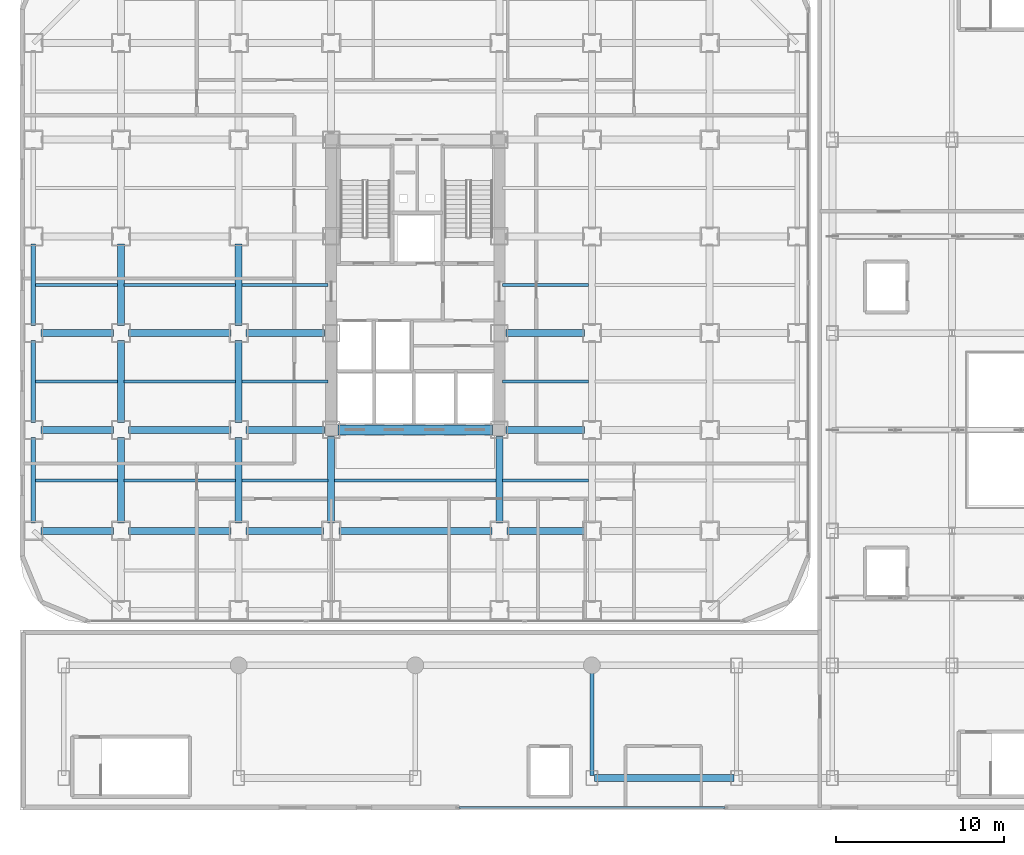
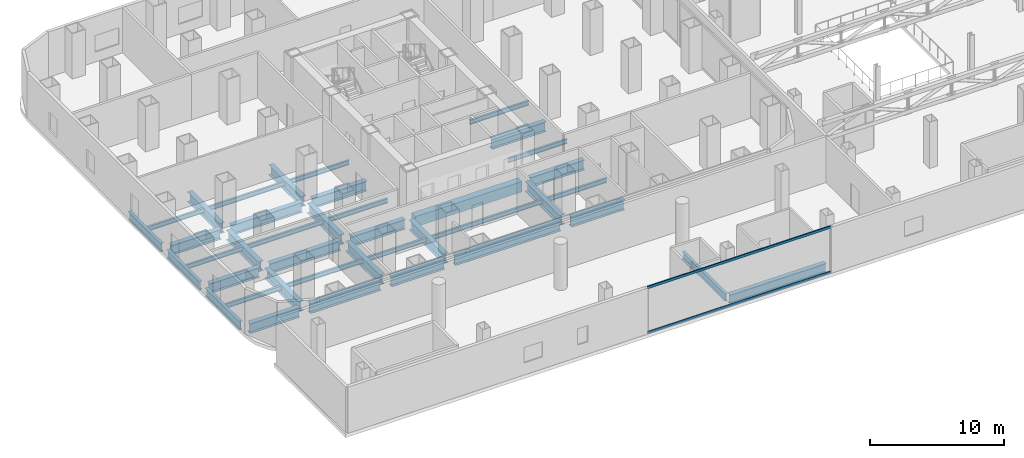
# One storey, part 9 of 28: 40 beams, 2 members, 1 element without a shape of its own.
"""IFC4 building model written with IfcOpenShell, lengths in metres."""

from ifc_helpers import new_model, si_unit, direction, frame, origin, origin_2d, place, context, subcontext, project, spatial, rectangle, hollow_rectangle, i_section, extrude, source, transform, mapped, material, layer, layer_set, material_profile, profile_set, type_object, element, aggregate, save


model = new_model("IFC4")

# Units and contexts
model_context = context("Model", 3, precision=1e-05, world=origin(), true_north=direction((0.0, 1.0)))
body_context = subcontext(model_context, "Body", "Model", "MODEL_VIEW")
ifc_project = project(units=[si_unit("LENGTHUNIT", "METRE"), si_unit("AREAUNIT", "SQUARE_METRE"), si_unit("VOLUMEUNIT", "CUBIC_METRE"), si_unit("PLANEANGLEUNIT", "RADIAN"), si_unit("MASSUNIT", "GRAM", prefix="KILO")], contexts=[model_context])

# Site, building, storey
site_placement = place(None, origin())
site = spatial("IfcSite", under=ifc_project, at=site_placement, CompositionType="ELEMENT")
building_placement = place(site_placement, origin())
building = spatial("IfcBuilding", under=site, at=building_placement, Name="Kolveth Station Tower", CompositionType="ELEMENT")
storey_placement = place(building_placement, frame((0.0, 0.0, 18.0)))
storey = spatial("IfcBuildingStorey", under=building, at=storey_placement, Name="L04", CompositionType="ELEMENT", Elevation=18.0)

# Beams
ifc_material_1 = material(Name="Steel S355", Category="steel")
ifc_material_profile_1 = material_profile(ifc_material_1, i_section(OverallWidth=0.26904296875, OverallDepth=0.77490234375, WebThickness=0.01708984375, FlangeThickness=0.0283203125, at=origin_2d()), Name="W760x220")
ifc_profile_set_1 = profile_set([ifc_material_profile_1], Name="Steel S355")
beam_type_1 = type_object("IfcBeamType", Name="Beam_SP1", PredefinedType="SPANDREL", material=ifc_profile_set_1)
shared_shape_1 = source(origin(), body_context, "Body", "SweptSolid", [
    extrude(i_section(OverallWidth=0.26904296875, OverallDepth=0.77490234375, WebThickness=0.01708984375, FlangeThickness=0.0283203125, at=origin_2d()), origin(), (0.0, 0.0, 1.0), 5.10009765625),
])
beam_1_placement = place(storey_placement, frame((0.800048828125, 5.949951171875, -0.70751953125), z_axis=(0.0, 1.0, 0.0), x_axis=(-1.0, 0.0, 0.0)))
element("IfcBeam", 1, at=beam_1_placement, inside=storey, type_object=beam_type_1, Name="L04 Perimeter Spandrel BM-L04-PW-1", PredefinedType="SPANDREL", context=body_context, shape_type="MappedRepresentation", body=[
    mapped(shared_shape_1, transform((0.0, 0.0, 0.0), x_axis=(1.0, 0.0, 0.0), y_axis=(0.0, 1.0, 0.0), z_axis=(0.0, 0.0, 1.0), scale=1.0)),
])
shared_shape_2 = source(origin(), body_context, "Body", "SweptSolid", [
    extrude(i_section(OverallWidth=0.26904296875, OverallDepth=0.77490234375, WebThickness=0.01708984375, FlangeThickness=0.0283203125, at=origin_2d()), origin(), (0.0, 0.0, 1.0), 4.85009765625),
])
for number, where, z_axis, x_axis, name in (
    (2, (0.800048828125, 11.949951171875, -0.70751953125), (0.0, 1.0, 0.0), (-1.0, 0.0, 0.0), "L04 Perimeter Spandrel BM-L04-PW-2"),
    (3, (0.800048828125, 17.699951171875, -0.70751953125), (0.0, 1.0, 0.0), (-1.0, 0.0, 0.0), "L04 Perimeter Spandrel BM-L04-PW-3"),
):
    element("IfcBeam", number, at=place(storey_placement, frame(where, z_axis=z_axis, x_axis=x_axis)), inside=storey, type_object=beam_type_1, Name=name, PredefinedType="SPANDREL", context=body_context, shape_type="MappedRepresentation", body=[
        mapped(shared_shape_2, transform((0.0, 0.0, 0.0), x_axis=(1.0, 0.0, 0.0), y_axis=(0.0, 1.0, 0.0), z_axis=(0.0, 0.0, 1.0), scale=1.0)),
    ])
ifc_material_profile_2 = material_profile(ifc_material_1, i_section(OverallWidth=0.41796875, OverallDepth=0.912109375, WebThickness=0.019287109375, FlangeThickness=0.031982421875, at=origin_2d()), Name="W920x342")
ifc_profile_set_2 = profile_set([ifc_material_profile_2], Name="Steel S355")
beam_type_2 = type_object("IfcBeamType", Name="Beam_B1", PredefinedType="BEAM", material=ifc_profile_set_2)
shared_shape_3 = source(origin(), body_context, "Body", "SweptSolid", [
    extrude(i_section(OverallWidth=0.41796875, OverallDepth=0.912109375, WebThickness=0.019287109375, FlangeThickness=0.031982421875, at=origin_2d()), origin(), (0.0, 0.0, 1.0), 4.300048828125),
])
for number, where, z_axis, x_axis, name in (
    (4, (1.25, 5.5, -0.77587890625), (1.0, 0.0, 0.0), (0.0, 1.0, 0.0), "L04 Primary Girder BM-L04-GY55-1"),
    (5, (1.25, 11.5, -0.77587890625), (1.0, 0.0, 0.0), (0.0, 1.0, 0.0), "L04 Primary Girder BM-L04-GY115-1"),
    (6, (1.25, 17.25, -0.77587890625), (1.0, 0.0, 0.0), (0.0, 1.0, 0.0), "L04 Primary Girder BM-L04-GY172-1"),
):
    element("IfcBeam", number, at=place(storey_placement, frame(where, z_axis=z_axis, x_axis=x_axis)), inside=storey, type_object=beam_type_2, Name=name, PredefinedType="BEAM", context=body_context, shape_type="MappedRepresentation", body=[
        mapped(shared_shape_3, transform((0.0, 0.0, 0.0), x_axis=(1.0, 0.0, 0.0), y_axis=(0.0, 1.0, 0.0), z_axis=(0.0, 0.0, 1.0), scale=1.0)),
    ])
shared_shape_4 = source(origin(), body_context, "Body", "SweptSolid", [
    extrude(i_section(OverallWidth=0.41796875, OverallDepth=0.912109375, WebThickness=0.019287109375, FlangeThickness=0.031982421875, at=origin_2d()), origin(), (0.0, 0.0, 1.0), 6.10009765625),
])
for number, where, z_axis, x_axis, name in (
    (7, (6.449951171875, 5.5, -0.77587890625), (1.0, 0.0, 0.0), (0.0, 1.0, 0.0), "L04 Primary Girder BM-L04-GY55-2"),
    (8, (6.449951171875, 11.5, -0.77587890625), (1.0, 0.0, 0.0), (0.0, 1.0, 0.0), "L04 Primary Girder BM-L04-GY115-2"),
    (9, (6.449951171875, 17.25, -0.77587890625), (1.0, 0.0, 0.0), (0.0, 1.0, 0.0), "L04 Primary Girder BM-L04-GY172-2"),
):
    element("IfcBeam", number, at=place(storey_placement, frame(where, z_axis=z_axis, x_axis=x_axis)), inside=storey, type_object=beam_type_2, Name=name, PredefinedType="BEAM", context=body_context, shape_type="MappedRepresentation", body=[
        mapped(shared_shape_4, transform((0.0, 0.0, 0.0), x_axis=(1.0, 0.0, 0.0), y_axis=(0.0, 1.0, 0.0), z_axis=(0.0, 0.0, 1.0), scale=1.0)),
    ])
shared_shape_5 = source(origin(), body_context, "Body", "SweptSolid", [
    extrude(i_section(OverallWidth=0.41796875, OverallDepth=0.912109375, WebThickness=0.019287109375, FlangeThickness=0.031982421875, at=origin_2d()), origin(), (0.0, 0.0, 1.0), 4.60009765625),
])
for number, where, z_axis, x_axis, name in (
    (10, (13.449951171875, 5.5, -0.77587890625), (1.0, 0.0, 0.0), (0.0, 1.0, 0.0), "L04 Primary Girder BM-L04-GY55-3"),
    (11, (28.949951171875, 5.5, -0.77587890625), (1.0, 0.0, 0.0), (0.0, 1.0, 0.0), "L04 Primary Girder BM-L04-GY55-5"),
):
    element("IfcBeam", number, at=place(storey_placement, frame(where, z_axis=z_axis, x_axis=x_axis)), inside=storey, type_object=beam_type_2, Name=name, PredefinedType="BEAM", context=body_context, shape_type="MappedRepresentation", body=[
        mapped(shared_shape_5, transform((0.0, 0.0, 0.0), x_axis=(1.0, 0.0, 0.0), y_axis=(0.0, 1.0, 0.0), z_axis=(0.0, 0.0, 1.0), scale=1.0)),
    ])
shared_shape_6 = source(origin(), body_context, "Body", "SweptSolid", [
    extrude(i_section(OverallWidth=0.41796875, OverallDepth=0.912109375, WebThickness=0.019287109375, FlangeThickness=0.031982421875, at=origin_2d()), origin(), (0.0, 0.0, 1.0), 9.10009765625),
])
beam_2_placement = place(storey_placement, frame((18.949951171875, 5.5, -0.77587890625), z_axis=(1.0, 0.0, 0.0), x_axis=(0.0, 1.0, 0.0)))
element("IfcBeam", 12, at=beam_2_placement, inside=storey, type_object=beam_type_2, Name="L04 Primary Girder BM-L04-GY55-4", PredefinedType="BEAM", context=body_context, shape_type="MappedRepresentation", body=[
    mapped(shared_shape_6, transform((0.0, 0.0, 0.0), x_axis=(1.0, 0.0, 0.0), y_axis=(0.0, 1.0, 0.0), z_axis=(0.0, 0.0, 1.0), scale=1.0)),
])
shared_shape_7 = source(origin(), body_context, "Body", "SweptSolid", [
    extrude(i_section(OverallWidth=0.41796875, OverallDepth=0.912109375, WebThickness=0.019287109375, FlangeThickness=0.031982421875, at=origin_2d()), origin(), (0.0, 0.0, 1.0), 4.650146484375),
])
for number, where, z_axis, x_axis, name in (
    (13, (13.449951171875, 11.5, -0.77587890625), (1.0, 0.0, 0.0), (0.0, 1.0, 0.0), "L04 Primary Girder BM-L04-GY115-3"),
    (14, (28.89990234375, 11.5, -0.77587890625), (1.0, 0.0, 0.0), (0.0, 1.0, 0.0), "L04 Primary Girder BM-L04-GY115-5"),
    (15, (13.449951171875, 17.25, -0.77587890625), (1.0, 0.0, 0.0), (0.0, 1.0, 0.0), "L04 Primary Girder BM-L04-GY172-3"),
    (16, (28.89990234375, 17.25, -0.77587890625), (1.0, 0.0, 0.0), (0.0, 1.0, 0.0), "L04 Primary Girder BM-L04-GY172-5"),
):
    element("IfcBeam", number, at=place(storey_placement, frame(where, z_axis=z_axis, x_axis=x_axis)), inside=storey, type_object=beam_type_2, Name=name, PredefinedType="BEAM", context=body_context, shape_type="MappedRepresentation", body=[
        mapped(shared_shape_7, transform((0.0, 0.0, 0.0), x_axis=(1.0, 0.0, 0.0), y_axis=(0.0, 1.0, 0.0), z_axis=(0.0, 0.0, 1.0), scale=1.0)),
    ])
ifc_material_2 = material(Name="Concrete C60/75", Category="concrete")
ifc_material_profile_3 = material_profile(ifc_material_2, rectangle(XDim=0.60009765625, YDim=0.949951171875, at=origin_2d()), Name="RC-600x950")
ifc_profile_set_3 = profile_set([ifc_material_profile_3], Name="Concrete C60/75")
beam_type_3 = type_object("IfcBeamType", Name="Beam_CB1", PredefinedType="BEAM", material=ifc_profile_set_3)
shared_shape_8 = source(origin(), body_context, "Body", "SweptSolid", [
    extrude(rectangle(XDim=0.60009765625, YDim=0.949951171875, at=origin_2d()), origin(), (0.0, 0.0, 1.0), 9.2001953125),
])
beam_3_placement = place(storey_placement, frame((18.89990234375, 11.5, -0.794921875), z_axis=(1.0, 0.0, 0.0), x_axis=(0.0, 1.0, 0.0)))
element("IfcBeam", 17, at=beam_3_placement, inside=storey, type_object=beam_type_3, Name="L04 Core Coupling Beam BM-L04-CB-Y115", PredefinedType="BEAM", context=body_context, shape_type="MappedRepresentation", body=[
    mapped(shared_shape_8, transform((0.0, 0.0, 0.0), x_axis=(1.0, 0.0, 0.0), y_axis=(0.0, 1.0, 0.0), z_axis=(0.0, 0.0, 1.0), scale=1.0)),
])
shared_shape_9 = source(origin(), body_context, "Body", "SweptSolid", [
    extrude(i_section(OverallWidth=0.41796875, OverallDepth=0.912109375, WebThickness=0.019287109375, FlangeThickness=0.031982421875, at=origin_2d()), origin(), (0.0, 0.0, 1.0), 5.10009765625),
])
for number, where, z_axis, x_axis, name in (
    (18, (6.0, 5.949951171875, -0.77587890625), (0.0, 1.0, 0.0), (-1.0, 0.0, 0.0), "L04 Primary Girder BM-L04-GX60-2"),
    (19, (13.0, 5.949951171875, -0.77587890625), (0.0, 1.0, 0.0), (-1.0, 0.0, 0.0), "L04 Primary Girder BM-L04-GX130-2"),
):
    element("IfcBeam", number, at=place(storey_placement, frame(where, z_axis=z_axis, x_axis=x_axis)), inside=storey, type_object=beam_type_2, Name=name, PredefinedType="BEAM", context=body_context, shape_type="MappedRepresentation", body=[
        mapped(shared_shape_9, transform((0.0, 0.0, 0.0), x_axis=(1.0, 0.0, 0.0), y_axis=(0.0, 1.0, 0.0), z_axis=(0.0, 0.0, 1.0), scale=1.0)),
    ])
shared_shape_10 = source(origin(), body_context, "Body", "SweptSolid", [
    extrude(i_section(OverallWidth=0.41796875, OverallDepth=0.912109375, WebThickness=0.019287109375, FlangeThickness=0.031982421875, at=origin_2d()), origin(), (0.0, 0.0, 1.0), 4.85009765625),
])
for number, where, z_axis, x_axis, name in (
    (20, (6.0, 11.949951171875, -0.77587890625), (0.0, 1.0, 0.0), (-1.0, 0.0, 0.0), "L04 Primary Girder BM-L04-GX60-3"),
    (21, (6.0, 17.699951171875, -0.77587890625), (0.0, 1.0, 0.0), (-1.0, 0.0, 0.0), "L04 Primary Girder BM-L04-GX60-4"),
    (22, (13.0, 11.949951171875, -0.77587890625), (0.0, 1.0, 0.0), (-1.0, 0.0, 0.0), "L04 Primary Girder BM-L04-GX130-3"),
    (23, (13.0, 17.699951171875, -0.77587890625), (0.0, 1.0, 0.0), (-1.0, 0.0, 0.0), "L04 Primary Girder BM-L04-GX130-4"),
):
    element("IfcBeam", number, at=place(storey_placement, frame(where, z_axis=z_axis, x_axis=x_axis)), inside=storey, type_object=beam_type_2, Name=name, PredefinedType="BEAM", context=body_context, shape_type="MappedRepresentation", body=[
        mapped(shared_shape_10, transform((0.0, 0.0, 0.0), x_axis=(1.0, 0.0, 0.0), y_axis=(0.0, 1.0, 0.0), z_axis=(0.0, 0.0, 1.0), scale=1.0)),
    ])
shared_shape_11 = source(origin(), body_context, "Body", "SweptSolid", [
    extrude(i_section(OverallWidth=0.41796875, OverallDepth=0.912109375, WebThickness=0.019287109375, FlangeThickness=0.031982421875, at=origin_2d()), origin(), (0.0, 0.0, 1.0), 5.150146484375),
])
for number, where, z_axis, x_axis, name in (
    (24, (18.5, 5.949951171875, -0.77587890625), (0.0, 1.0, 0.0), (-1.0, 0.0, 0.0), "L04 Primary Girder BM-L04-GX185-2"),
    (25, (28.5, 5.949951171875, -0.77587890625), (0.0, 1.0, 0.0), (-1.0, 0.0, 0.0), "L04 Primary Girder BM-L04-GX285-2"),
):
    element("IfcBeam", number, at=place(storey_placement, frame(where, z_axis=z_axis, x_axis=x_axis)), inside=storey, type_object=beam_type_2, Name=name, PredefinedType="BEAM", context=body_context, shape_type="MappedRepresentation", body=[
        mapped(shared_shape_11, transform((0.0, 0.0, 0.0), x_axis=(1.0, 0.0, 0.0), y_axis=(0.0, 1.0, 0.0), z_axis=(0.0, 0.0, 1.0), scale=1.0)),
    ])
ifc_material_profile_4 = material_profile(ifc_material_1, i_section(OverallWidth=0.177978515625, OverallDepth=0.406982421875, WebThickness=0.0078125, FlangeThickness=0.0126953125, at=origin_2d()), Name="W410x60")
ifc_profile_set_4 = profile_set([ifc_material_profile_4], Name="Steel S355")
beam_type_4 = type_object("IfcBeamType", Name="Beam_J1", PredefinedType="JOIST", material=ifc_profile_set_4)
shared_shape_12 = source(origin(), body_context, "Body", "SweptSolid", [
    extrude(i_section(OverallWidth=0.177978515625, OverallDepth=0.406982421875, WebThickness=0.0078125, FlangeThickness=0.0126953125, at=origin_2d()), origin(), (0.0, 0.0, 1.0), 4.872314453125),
])
for number, where, z_axis, x_axis, name in (
    (26, (0.9326171875, 8.5, -0.5234375), (1.0, 0.0, 0.0), (0.0, 1.0, 0.0), "L04 Secondary Joist JST-L04-1-2"),
    (27, (0.9326171875, 14.375, -0.5234375), (1.0, 0.0, 0.0), (0.0, 1.0, 0.0), "L04 Secondary Joist JST-L04-1-3"),
    (28, (0.9326171875, 20.125, -0.5234375), (1.0, 0.0, 0.0), (0.0, 1.0, 0.0), "L04 Secondary Joist JST-L04-1-4"),
):
    element("IfcBeam", number, at=place(storey_placement, frame(where, z_axis=z_axis, x_axis=x_axis)), inside=storey, type_object=beam_type_4, Name=name, PredefinedType="JOIST", context=body_context, shape_type="MappedRepresentation", body=[
        mapped(shared_shape_12, transform((0.0, 0.0, 0.0), x_axis=(1.0, 0.0, 0.0), y_axis=(0.0, 1.0, 0.0), z_axis=(0.0, 0.0, 1.0), scale=1.0)),
    ])
shared_shape_13 = source(origin(), body_context, "Body", "SweptSolid", [
    extrude(i_section(OverallWidth=0.177978515625, OverallDepth=0.406982421875, WebThickness=0.0078125, FlangeThickness=0.0126953125, at=origin_2d()), origin(), (0.0, 0.0, 1.0), 6.60986328125),
])
for number, where, z_axis, x_axis, name in (
    (29, (6.195068359375, 8.5, -0.5234375), (1.0, 0.0, 0.0), (0.0, 1.0, 0.0), "L04 Secondary Joist JST-L04-2-2"),
    (30, (6.195068359375, 14.375, -0.5234375), (1.0, 0.0, 0.0), (0.0, 1.0, 0.0), "L04 Secondary Joist JST-L04-2-3"),
    (31, (6.195068359375, 20.125, -0.5234375), (1.0, 0.0, 0.0), (0.0, 1.0, 0.0), "L04 Secondary Joist JST-L04-2-4"),
):
    element("IfcBeam", number, at=place(storey_placement, frame(where, z_axis=z_axis, x_axis=x_axis)), inside=storey, type_object=beam_type_4, Name=name, PredefinedType="JOIST", context=body_context, shape_type="MappedRepresentation", body=[
        mapped(shared_shape_13, transform((0.0, 0.0, 0.0), x_axis=(1.0, 0.0, 0.0), y_axis=(0.0, 1.0, 0.0), z_axis=(0.0, 0.0, 1.0), scale=1.0)),
    ])
shared_shape_14 = source(origin(), body_context, "Body", "SweptSolid", [
    extrude(i_section(OverallWidth=0.177978515625, OverallDepth=0.406982421875, WebThickness=0.0078125, FlangeThickness=0.0126953125, at=origin_2d()), origin(), (0.0, 0.0, 1.0), 5.10986328125),
])
for number, where, z_axis, x_axis, name in (
    (32, (13.195068359375, 8.5, -0.5234375), (1.0, 0.0, 0.0), (0.0, 1.0, 0.0), "L04 Secondary Joist JST-L04-3-2"),
    (33, (13.195068359375, 14.375, -0.5234375), (1.0, 0.0, 0.0), (0.0, 1.0, 0.0), "L04 Secondary Joist JST-L04-3-3"),
    (34, (13.195068359375, 20.125, -0.5234375), (1.0, 0.0, 0.0), (0.0, 1.0, 0.0), "L04 Secondary Joist JST-L04-3-4"),
    (35, (28.695068359375, 8.5, -0.5234375), (1.0, 0.0, 0.0), (0.0, 1.0, 0.0), "L04 Secondary Joist JST-L04-5-2"),
    (36, (28.695068359375, 14.375, -0.5234375), (1.0, 0.0, 0.0), (0.0, 1.0, 0.0), "L04 Secondary Joist JST-L04-5-3"),
    (37, (28.695068359375, 20.125, -0.5234375), (1.0, 0.0, 0.0), (0.0, 1.0, 0.0), "L04 Secondary Joist JST-L04-5-4"),
):
    element("IfcBeam", number, at=place(storey_placement, frame(where, z_axis=z_axis, x_axis=x_axis)), inside=storey, type_object=beam_type_4, Name=name, PredefinedType="JOIST", context=body_context, shape_type="MappedRepresentation", body=[
        mapped(shared_shape_14, transform((0.0, 0.0, 0.0), x_axis=(1.0, 0.0, 0.0), y_axis=(0.0, 1.0, 0.0), z_axis=(0.0, 0.0, 1.0), scale=1.0)),
    ])
shared_shape_15 = source(origin(), body_context, "Body", "SweptSolid", [
    extrude(i_section(OverallWidth=0.177978515625, OverallDepth=0.406982421875, WebThickness=0.0078125, FlangeThickness=0.0126953125, at=origin_2d()), origin(), (0.0, 0.0, 1.0), 9.60986328125),
])
beam_4_placement = place(storey_placement, frame((18.695068359375, 8.5, -0.5234375), z_axis=(1.0, 0.0, 0.0), x_axis=(0.0, 1.0, 0.0)))
element("IfcBeam", 38, at=beam_4_placement, inside=storey, type_object=beam_type_4, Name="L04 Secondary Joist JST-L04-4-2", PredefinedType="JOIST", context=body_context, shape_type="MappedRepresentation", body=[
    mapped(shared_shape_15, transform((0.0, 0.0, 0.0), x_axis=(1.0, 0.0, 0.0), y_axis=(0.0, 1.0, 0.0), z_axis=(0.0, 0.0, 1.0), scale=1.0)),
])
ifc_material_profile_5 = material_profile(ifc_material_1, i_section(OverallWidth=0.40087890625, OverallDepth=0.85107421875, WebThickness=0.01611328125, FlangeThickness=0.025390625, at=origin_2d()), Name="W840x226")
ifc_profile_set_5 = profile_set([ifc_material_profile_5], Name="Steel S355")
beam_type_5 = type_object("IfcBeamType", Name="Beam_B2", PredefinedType="BEAM", material=ifc_profile_set_5)
shared_shape_16 = source(origin(), body_context, "Body", "SweptSolid", [
    extrude(i_section(OverallWidth=0.40087890625, OverallDepth=0.85107421875, WebThickness=0.01611328125, FlangeThickness=0.025390625, at=origin_2d()), origin(), (0.0, 0.0, 1.0), 8.300048828125),
])
beam_5_placement = place(storey_placement, frame((34.14990234375, -9.199951171875, -0.74560546875), z_axis=(1.0, 0.0, 0.0), x_axis=(0.0, 1.0, 0.0)))
element("IfcBeam", 39, at=beam_5_placement, inside=storey, type_object=beam_type_5, Name="L04 Station Concourse Girder SBM-L04-SL1-4", PredefinedType="BEAM", context=body_context, shape_type="MappedRepresentation", body=[
    mapped(shared_shape_16, transform((0.0, 0.0, 0.0), x_axis=(1.0, 0.0, 0.0), y_axis=(0.0, 1.0, 0.0), z_axis=(0.0, 0.0, 1.0), scale=1.0)),
])
ifc_material_profile_6 = material_profile(ifc_material_1, i_section(OverallWidth=0.25390625, OverallDepth=0.68798828125, WebThickness=0.01318359375, FlangeThickness=0.02099609375, at=origin_2d()), Name="W690x152")
ifc_profile_set_6 = profile_set([ifc_material_profile_6], Name="Steel S355")
beam_type_6 = type_object("IfcBeamType", Name="Beam_B4", PredefinedType="BEAM", material=ifc_profile_set_6)
shared_shape_17 = source(origin(), body_context, "Body", "SweptSolid", [
    extrude(i_section(OverallWidth=0.25390625, OverallDepth=0.68798828125, WebThickness=0.01318359375, FlangeThickness=0.02099609375, at=origin_2d()), origin(), (0.0, 0.0, 1.0), 6.400146484375),
])
beam_6_placement = place(storey_placement, frame((34.0, -9.050048828125, -0.6640625), z_axis=(0.0, 1.0, 0.0), x_axis=(-1.0, 0.0, 0.0)))
element("IfcBeam", 40, at=beam_6_placement, inside=storey, type_object=beam_type_6, Name="L04 Station Transverse Beam SBM-L04-ST-4", PredefinedType="BEAM", context=body_context, shape_type="MappedRepresentation", body=[
    mapped(shared_shape_17, transform((0.0, 0.0, 0.0), x_axis=(1.0, 0.0, 0.0), y_axis=(0.0, 1.0, 0.0), z_axis=(0.0, 0.0, 1.0), scale=1.0)),
])

# Curtain wall, members
ifc_material_3 = material(Name="Black anodized aluminium 6063-T6 and clear station glass", Category="aluminium")
ifc_layer = layer(ifc_material_3, 0.239990234375)
ifc_layer_set = layer_set([ifc_layer], Name="Black anodized aluminium 6063-T6 and clear station glass")
curtain_wall_type = type_object("IfcCurtainWallType", Name="CurtainWall_CW-ST", PredefinedType="NOTDEFINED", material=ifc_layer_set)
curtain_wall_placement = place(storey_placement, origin())
curtain_wall = element("IfcCurtainWall", 41, at=curtain_wall_placement, inside=storey, type_object=curtain_wall_type, Name="L04 Station South Concourse Curtain Wall", PredefinedType="NOTDEFINED")
ifc_material_4 = material(Name="Black anodized aluminium 6063-T6", Category="aluminium")
ifc_material_profile_7 = material_profile(ifc_material_4, hollow_rectangle(XDim=0.094970703125, YDim=0.219970703125, WallThickness=0.0048828125, at=origin_2d()), Name="ALU-95x220x5")
ifc_profile_set_7 = profile_set([ifc_material_profile_7], Name="Black anodized aluminium 6063-T6")
member_type = type_object("IfcMemberType", Name="Transom_TR-ST", PredefinedType="USERDEFINED", material=ifc_profile_set_7)
shared_shape_18 = source(origin(), body_context, "Body", "SweptSolid", [
    extrude(hollow_rectangle(XDim=0.094970703125, YDim=0.219970703125, WallThickness=0.0048828125, at=origin_2d()), origin(), (0.0, 0.0, 1.0), 15.7998046875),
])
member_1_placement = place(storey_placement, frame((26.10009765625, -10.949951171875, 0.047607421875), z_axis=(1.0, 0.0, 0.0), x_axis=(0.0, 1.0, 0.0)))
member_1 = element("IfcMember", 42, at=member_1_placement, type_object=member_type, Name="CW-ST transom 1.1", ObjectType="TRANSOM", PredefinedType="USERDEFINED", context=body_context, shape_type="MappedRepresentation", body=[
    mapped(shared_shape_18, transform((0.0, 0.0, 0.0), x_axis=(1.0, 0.0, 0.0), y_axis=(0.0, 1.0, 0.0), z_axis=(0.0, 0.0, 1.0), scale=1.0)),
])
member_2_placement = place(storey_placement, frame((26.10009765625, -10.949951171875, 4.152587890625), z_axis=(1.0, 0.0, 0.0), x_axis=(0.0, 1.0, 0.0)))
member_2 = element("IfcMember", 43, at=member_2_placement, type_object=member_type, Name="CW-ST transom 1.2", ObjectType="TRANSOM", PredefinedType="USERDEFINED", context=body_context, shape_type="MappedRepresentation", body=[
    mapped(shared_shape_18, transform((0.0, 0.0, 0.0), x_axis=(1.0, 0.0, 0.0), y_axis=(0.0, 1.0, 0.0), z_axis=(0.0, 0.0, 1.0), scale=1.0)),
])
aggregate(curtain_wall, [member_1, member_2])

save(model, "model.ifc")
